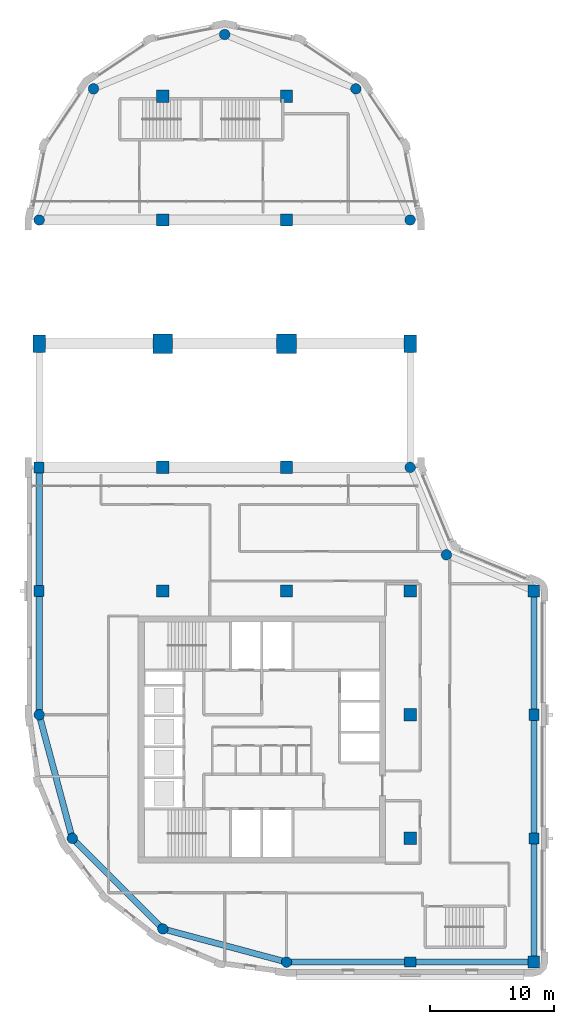
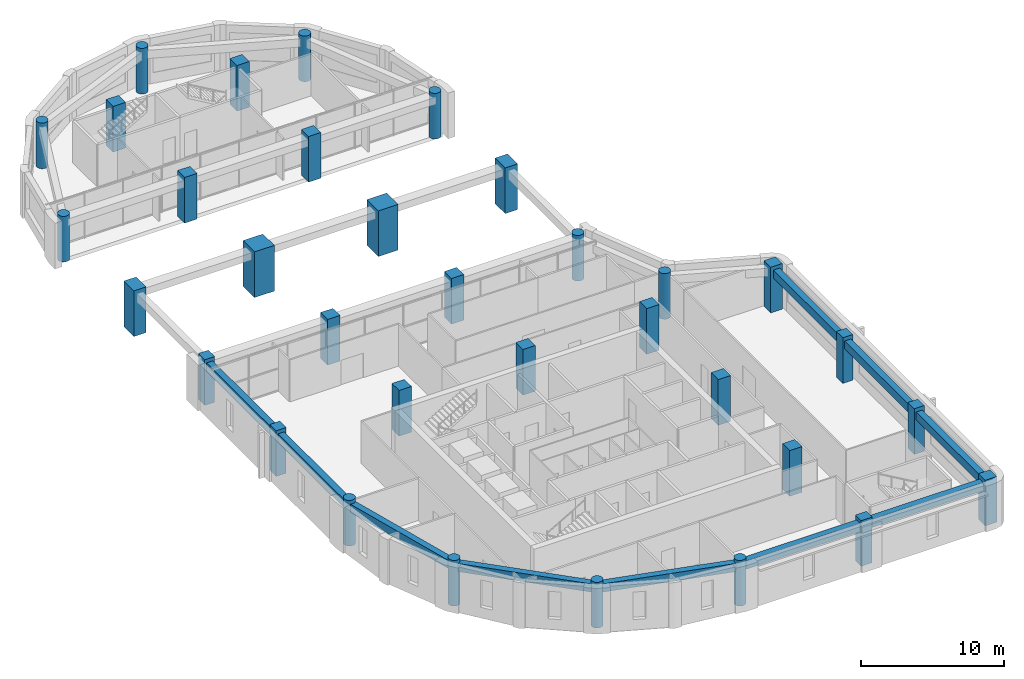
# One storey, part 1 of 11: 33 columns, 10 beams.
"""IFC4 building model written with IfcOpenShell, lengths in metres."""

from ifc_helpers import new_model, si_unit, direction, frame, origin, origin_2d, place, context, subcontext, project, spatial, rectangle, circle, extrude, material, material_profile, profile_set, type_object, element, save


model = new_model("IFC4")

# Units and contexts
model_context = context("Model", 3, precision=1e-05, world=origin(), true_north=direction((0.0, 1.0)))
body_context = subcontext(model_context, "Body", "Model", "MODEL_VIEW")
ifc_project = project(units=[si_unit("LENGTHUNIT", "METRE"), si_unit("AREAUNIT", "SQUARE_METRE"), si_unit("VOLUMEUNIT", "CUBIC_METRE"), si_unit("PLANEANGLEUNIT", "RADIAN"), si_unit("MASSUNIT", "GRAM", prefix="KILO")], contexts=[model_context])

# Site, building, storey
site_placement = place(None, origin())
site = spatial("IfcSite", under=ifc_project, at=site_placement, CompositionType="ELEMENT")
building_placement = place(site_placement, origin())
building = spatial("IfcBuilding", under=site, at=building_placement, Name="Qaws Garden Tower", CompositionType="ELEMENT")
storey_placement = place(building_placement, frame((0.0, 0.0, 321.60009765625)))
storey = spatial("IfcBuildingStorey", under=building, at=storey_placement, Name="L78", CompositionType="ELEMENT", Elevation=321.60009765625)

# Columns
ifc_material_1 = material(Name="Concrete C60", Category="concrete")
ifc_material_profile_1 = material_profile(ifc_material_1, rectangle(XDim=1.0, YDim=1.0, at=origin_2d()), Name="RC 1000x1000")
ifc_profile_set_1 = profile_set([ifc_material_profile_1], Name="Concrete C60")
column_type_1 = type_object("IfcColumnType", Name="Column RC 1000x1000 C60", PredefinedType="COLUMN", material=ifc_profile_set_1)
for number, where, z_axis, x_axis, name in (
    (1, (10.0, 30.0, 0.0), (0.0, 0.0, 1.0), (1.0, 0.0, 0.0), "Column L78-021"),
    (2, (10.0, 40.0, 0.0), (0.0, 0.0, 1.0), (1.0, 0.0, 0.0), "Column L78-022"),
    (3, (10.0, 60.0, 0.0), (0.0, 0.0, 1.0), (1.0, 0.0, 0.0), "Column L78-024"),
    (4, (10.0, 70.0, 0.0), (0.0, 0.0, 1.0), (1.0, 0.0, 0.0), "Column L78-025"),
    (5, (20.0, 30.0, 0.0), (0.0, 0.0, 1.0), (1.0, 0.0, 0.0), "Column L78-026"),
    (6, (20.0, 40.0, 0.0), (0.0, 0.0, 1.0), (1.0, 0.0, 0.0), "Column L78-027"),
    (7, (20.0, 60.0, 0.0), (0.0, 0.0, 1.0), (1.0, 0.0, 0.0), "Column L78-029"),
    (8, (20.0, 70.0, 0.0), (0.0, 0.0, 1.0), (1.0, 0.0, 0.0), "Column L78-030"),
    (9, (30.0, 10.0, 0.0), (0.0, 0.0, 1.0), (1.0, 0.0, 0.0), "Column L78-031"),
    (10, (30.0, 20.0, 0.0), (0.0, 0.0, 1.0), (1.0, 0.0, 0.0), "Column L78-032"),
    (11, (30.0, 30.0, 0.0), (0.0, 0.0, 1.0), (1.0, 0.0, 0.0), "Column L78-033"),
):
    element("IfcColumn", number, at=place(storey_placement, frame(where, z_axis=z_axis, x_axis=x_axis)), inside=storey, type_object=column_type_1, Name=name, PredefinedType="COLUMN", context=body_context, shape_type="SweptSolid", body=[
        extrude(rectangle(XDim=1.0, YDim=1.0, at=origin_2d()), origin(), (0.0, 0.0, 1.0), 3.89990234375),
    ])
ifc_material_2 = material(Name="Concrete C60", Category="concrete")
ifc_material_profile_2 = material_profile(ifc_material_2, rectangle(XDim=1.39990234375, YDim=1.0, at=origin_2d()), Name="RC 1400x1000")
ifc_profile_set_2 = profile_set([ifc_material_profile_2], Name="Concrete C60")
column_type_2 = type_object("IfcColumnType", Name="Column RC 1400x1000 C60", PredefinedType="COLUMN", material=ifc_profile_set_2)
for number, where, z_axis, x_axis, name in (
    (12, (30.0, 50.0, 0.0), (0.0, 0.0, 1.0), (0.0, 1.0, 0.0), "Column L78-009"),
    (13, (0.0, 50.0, 0.0), (0.0, 0.0, 1.0), (0.0, 1.0, 0.0), "Column L78-015"),
):
    element("IfcColumn", number, at=place(storey_placement, frame(where, z_axis=z_axis, x_axis=x_axis)), inside=storey, type_object=column_type_2, Name=name, PredefinedType="COLUMN", context=body_context, shape_type="SweptSolid", body=[
        extrude(rectangle(XDim=1.39990234375, YDim=1.0, at=origin_2d()), origin(), (0.0, 0.0, 1.0), 3.89990234375),
    ])
ifc_material_3 = material(Name="Concrete C60", Category="concrete")
ifc_material_profile_3 = material_profile(ifc_material_3, rectangle(XDim=1.60009765625, YDim=1.60009765625, at=origin_2d()), Name="RC 1600x1600")
ifc_profile_set_3 = profile_set([ifc_material_profile_3], Name="Concrete C60")
column_type_3 = type_object("IfcColumnType", Name="Column RC 1600x1600 C60", PredefinedType="COLUMN", material=ifc_profile_set_3)
for number, where, z_axis, x_axis, name in (
    (14, (10.0, 50.0, 0.0), (0.0, 0.0, 1.0), (1.0, 0.0, 0.0), "Column L78-023"),
    (15, (20.0, 50.0, 0.0), (0.0, 0.0, 1.0), (1.0, 0.0, 0.0), "Column L78-028"),
):
    element("IfcColumn", number, at=place(storey_placement, frame(where, z_axis=z_axis, x_axis=x_axis)), inside=storey, type_object=column_type_3, Name=name, PredefinedType="COLUMN", context=body_context, shape_type="SweptSolid", body=[
        extrude(rectangle(XDim=1.60009765625, YDim=1.60009765625, at=origin_2d()), origin(), (0.0, 0.0, 1.0), 3.89990234375),
    ])
ifc_material_4 = material(Name="Concrete C60", Category="concrete")
ifc_material_profile_4 = material_profile(ifc_material_4, rectangle(XDim=0.89990234375, YDim=0.800048828125, at=origin_2d()), Name="RC 900x800")
ifc_profile_set_4 = profile_set([ifc_material_profile_4], Name="Concrete C60")
column_type_4 = type_object("IfcColumnType", Name="Column RC 900x800 C60", PredefinedType="COLUMN", material=ifc_profile_set_4)
for number, where, z_axis, x_axis, name in (
    (16, (30.0, 0.0, 0.0), (0.0, 0.0, 1.0), (1.0, 0.0, 0.0), "Column L78-002"),
    (17, (40.0, 10.0, 0.0), (0.0, 0.0, 1.0), (0.0, 1.0, 0.0), "Column L78-004"),
    (18, (40.0, 20.0, 0.0), (0.0, 0.0, 1.0), (0.0, 1.0, 0.0), "Column L78-005"),
    (19, (0.0, 40.0, 0.0), (0.0, 0.0, 1.0), (0.0, 1.0, 0.0), "Column L78-016"),
    (20, (0.0, 30.0, 0.0), (0.0, 0.0, 1.0), (0.0, 1.0, 0.0), "Column L78-017"),
):
    element("IfcColumn", number, at=place(storey_placement, frame(where, z_axis=z_axis, x_axis=x_axis)), inside=storey, type_object=column_type_4, Name=name, PredefinedType="COLUMN", context=body_context, shape_type="SweptSolid", body=[
        extrude(rectangle(XDim=0.89990234375, YDim=0.800048828125, at=origin_2d()), origin(), (0.0, 0.0, 1.0), 3.89990234375),
    ])
ifc_material_5 = material(Name="Concrete C60", Category="concrete")
ifc_material_profile_5 = material_profile(ifc_material_5, rectangle(XDim=0.949951171875, YDim=0.949951171875, at=origin_2d()), Name="RC 950x950")
ifc_profile_set_5 = profile_set([ifc_material_profile_5], Name="Concrete C60")
column_type_5 = type_object("IfcColumnType", Name="Column RC 950x950 C60", PredefinedType="COLUMN", material=ifc_profile_set_5)
for number, where, z_axis, x_axis, name in (
    (21, (40.0, 0.0, 0.0), (0.0, 0.0, 1.0), (1.0, 0.0, 0.0), "Column L78-003"),
    (22, (40.0, 30.0, 0.0), (0.0, 0.0, 1.0), (1.0, 0.0, 0.0), "Column L78-006"),
):
    element("IfcColumn", number, at=place(storey_placement, frame(where, z_axis=z_axis, x_axis=x_axis)), inside=storey, type_object=column_type_5, Name=name, PredefinedType="COLUMN", context=body_context, shape_type="SweptSolid", body=[
        extrude(rectangle(XDim=0.949951171875, YDim=0.949951171875, at=origin_2d()), origin(), (0.0, 0.0, 1.0), 3.89990234375),
    ])
ifc_material_6 = material(Name="Concrete C60", Category="concrete")
ifc_material_profile_6 = material_profile(ifc_material_6, circle(Radius=0.425048828125, at=origin_2d()), Name="RC D850")
ifc_profile_set_6 = profile_set([ifc_material_profile_6], Name="Concrete C60")
column_type_6 = type_object("IfcColumnType", Name="Column RC D850 C60", PredefinedType="COLUMN", material=ifc_profile_set_6)
for number, where, z_axis, x_axis, name in (
    (23, (20.0, 0.0, 0.0), (0.0, 0.0, 1.0), (1.0, 0.0, 0.0), "Column L78-001"),
    (24, (32.928955078125, 32.928955078125, 0.0), (0.0, 0.0, 1.0), (1.0, 0.0, 0.0), "Column L78-007"),
    (25, (30.0, 40.0, 0.0), (0.0, 0.0, 1.0), (1.0, 0.0, 0.0), "Column L78-008"),
    (26, (30.0, 60.0, 0.0), (0.0, 0.0, 1.0), (1.0, 0.0, 0.0), "Column L78-010"),
    (27, (25.606689453125, 70.606689453125, 0.0), (0.0, 0.0, 1.0), (1.0, 0.0, 0.0), "Column L78-011"),
    (28, (15.0, 75.0, 0.0), (0.0, 0.0, 1.0), (1.0, 0.0, 0.0), "Column L78-012"),
    (29, (4.393310546875, 70.606689453125, 0.0), (0.0, 0.0, 1.0), (1.0, 0.0, 0.0), "Column L78-013"),
    (30, (0.0, 60.0, 0.0), (0.0, 0.0, 1.0), (1.0, 0.0, 0.0), "Column L78-014"),
    (31, (0.0, 20.0, 0.0), (0.0, 0.0, 1.0), (1.0, 0.0, 0.0), "Column L78-018"),
    (32, (2.679443359375, 10.0, 0.0), (0.0, 0.0, 1.0), (1.0, 0.0, 0.0), "Column L78-019"),
    (33, (10.0, 2.679443359375, 0.0), (0.0, 0.0, 1.0), (1.0, 0.0, 0.0), "Column L78-020"),
):
    element("IfcColumn", number, at=place(storey_placement, frame(where, z_axis=z_axis, x_axis=x_axis)), inside=storey, type_object=column_type_6, Name=name, PredefinedType="COLUMN", context=body_context, shape_type="SweptSolid", body=[
        extrude(circle(Radius=0.425048828125, at=origin_2d()), origin(), (0.0, 0.0, 1.0), 3.89990234375),
    ])

# Beams
ifc_material_7 = material(Name="Concrete C45", Category="concrete")
ifc_material_profile_7 = material_profile(ifc_material_7, rectangle(XDim=0.5, YDim=0.699951171875, at=origin_2d()), Name="RC 500x700")
ifc_profile_set_7 = profile_set([ifc_material_profile_7], Name="Concrete C45")
beam_type = type_object("IfcBeamType", Name="Spandrel beam RC 500x700 C45", PredefinedType="SPANDREL", material=ifc_profile_set_7)
for number, where, z_axis, x_axis, name in (
    (34, (20.0, 0.0, 3.22998046875), (1.0, 0.0, 0.0), (0.0, 1.0, 0.0), "Spandrel beam L78-001"),
    (35, (30.0, 0.0, 3.22998046875), (1.0, 0.0, 0.0), (0.0, 1.0, 0.0), "Spandrel beam L78-002"),
    (36, (40.0, 0.0, 3.22998046875), (0.0, 1.0, 0.0), (-1.0, 0.0, 0.0), "Spandrel beam L78-003"),
    (37, (40.0, 10.0, 3.22998046875), (0.0, 1.0, 0.0), (-1.0, 0.0, 0.0), "Spandrel beam L78-004"),
    (38, (40.0, 20.0, 3.22998046875), (0.0, 1.0, 0.0), (-1.0, 0.0, 0.0), "Spandrel beam L78-005"),
    (39, (0.0, 40.0, 3.22998046875), (0.0, -1.0, 0.0), (1.0, 0.0, 0.0), "Spandrel beam L78-014"),
    (40, (0.0, 30.0, 3.22998046875), (0.0, -1.0, 0.0), (1.0, 0.0, 0.0), "Spandrel beam L78-015"),
):
    element("IfcBeam", number, at=place(storey_placement, frame(where, z_axis=z_axis, x_axis=x_axis)), inside=storey, type_object=beam_type, Name=name, PredefinedType="SPANDREL", context=body_context, shape_type="SweptSolid", body=[
        extrude(rectangle(XDim=0.5, YDim=0.699951171875, at=origin_2d()), origin(), (0.0, 0.0, 1.0), 10.0),
    ])
for number, where, z_axis, x_axis, name in (
    (41, (0.0, 20.0, 3.22998046875), (0.25881466832, -0.965926999034, 0.0), (0.965926999034, 0.25881466832, 0.0), "Spandrel beam L78-016"),
    (42, (2.679443359375, 10.0, 3.22998046875), (0.707106781187, -0.707106781187, 0.0), (0.707106781187, 0.707106781187, 0.0), "Spandrel beam L78-017"),
    (43, (10.0, 2.679443359375, 3.22998046875), (0.965926999034, -0.25881466832, 0.0), (0.25881466832, 0.965926999034, 0.0), "Spandrel beam L78-018"),
):
    element("IfcBeam", number, at=place(storey_placement, frame(where, z_axis=z_axis, x_axis=x_axis)), inside=storey, type_object=beam_type, Name=name, PredefinedType="SPANDREL", context=body_context, shape_type="SweptSolid", body=[
        extrude(rectangle(XDim=0.5, YDim=0.699951171875, at=origin_2d()), origin(), (0.0, 0.0, 1.0), 10.352783203125),
    ])

save(model, "model.ifc")
